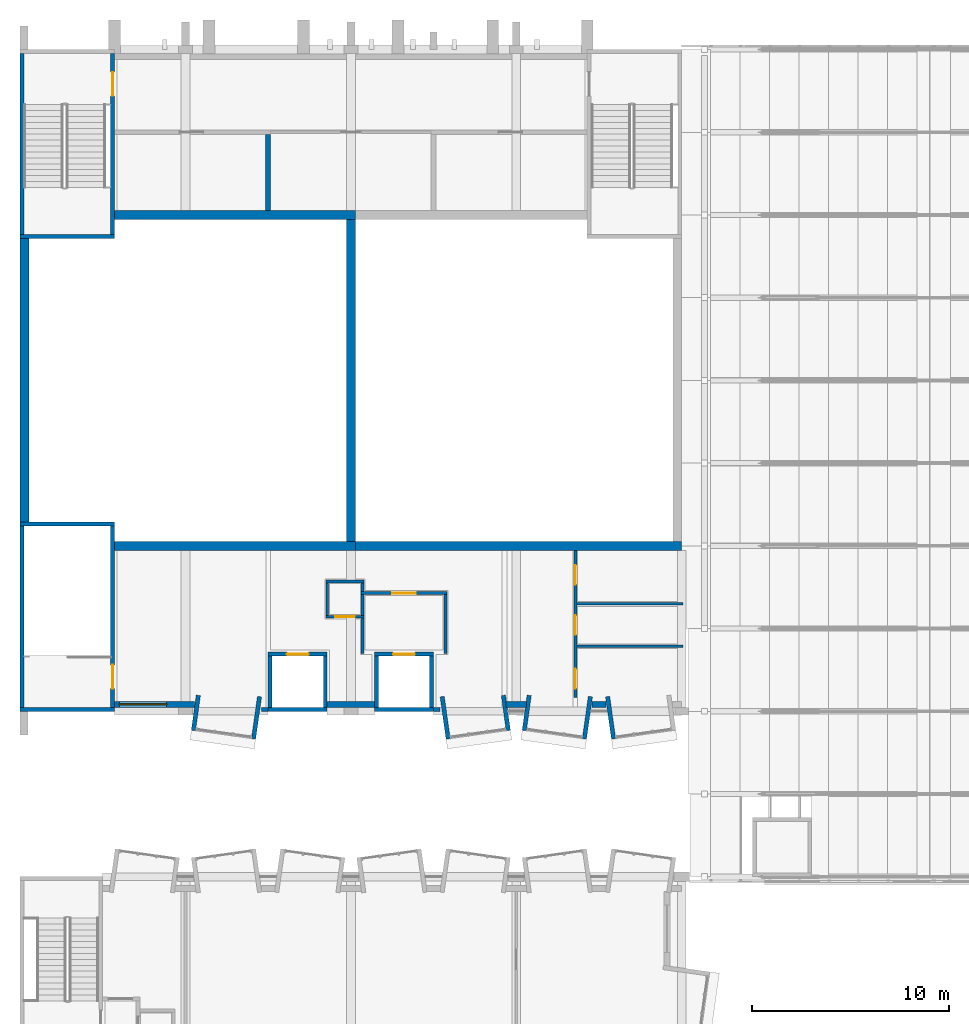
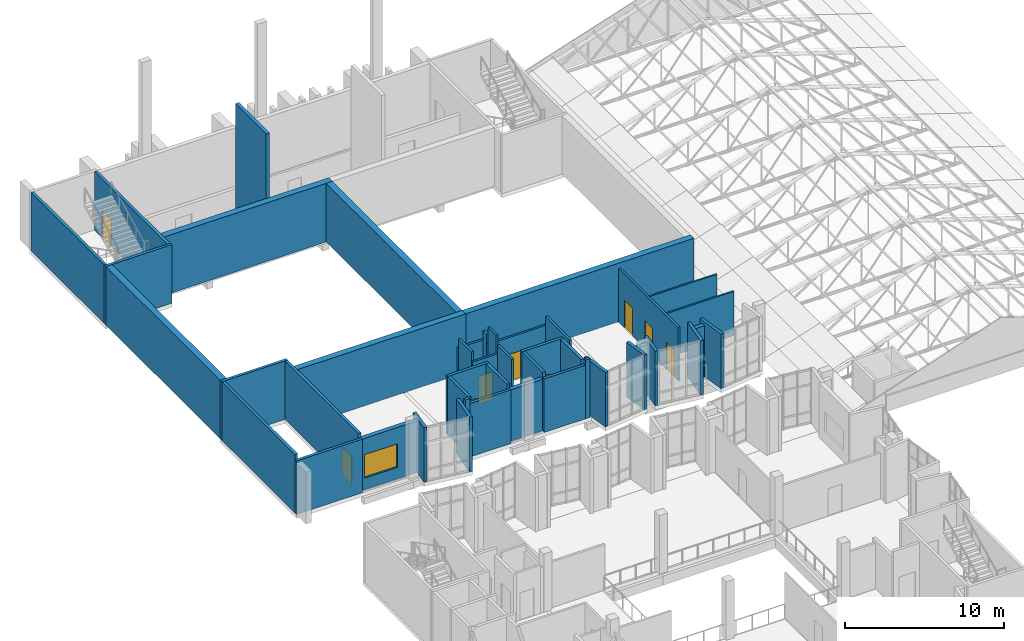
# One storey, part 83 of 95: 45 walls, 9 doors, 1 window, 10 openings.
"""IFC4 building model written with IfcOpenShell, lengths in metres."""

from ifc_helpers import new_model, si_unit, direction, frame, frame_2d, origin, place, context, subcontext, project, spatial, rectangle, extrude, material, layer, layer_set, type_object, element, fill, save


model = new_model("IFC4")

# Units and contexts
model_context = context("Model", 3, precision=1e-05, world=origin(), true_north=direction((0.0, 1.0)))
body_context = subcontext(model_context, "Body", "Model", "MODEL_VIEW")
ifc_project = project(units=[si_unit("LENGTHUNIT", "METRE"), si_unit("AREAUNIT", "SQUARE_METRE"), si_unit("VOLUMEUNIT", "CUBIC_METRE"), si_unit("PLANEANGLEUNIT", "RADIAN"), si_unit("MASSUNIT", "GRAM", prefix="KILO")], contexts=[model_context])

# Site, building, storey
site_placement = place(None, origin())
site = spatial("IfcSite", under=ifc_project, at=site_placement, CompositionType="ELEMENT")
building_placement = place(site_placement, origin())
building = spatial("IfcBuilding", under=site, at=building_placement, Name="Kiln Court Media Centre", CompositionType="ELEMENT")
storey_placement = place(building_placement, frame((0.0, 0.0, 24.60009765625)))
storey = spatial("IfcBuildingStorey", under=building, at=storey_placement, Name="L05", CompositionType="ELEMENT", Elevation=24.60009765625)

# Wall, opening, door
ifc_material_1 = material(Name="Concrete block masonry M7.5", Category="masonry")
ifc_layer_1 = layer(ifc_material_1, 0.14990234375)
ifc_layer_set_1 = layer_set([ifc_layer_1], Name="Block lobby wall 150 EI 120")
wall_type_1 = type_object("IfcWallType", Name="Block lobby wall 150 EI 120", PredefinedType="SOLIDWALL", material=ifc_layer_set_1)
wall_1_placement = place(storey_placement, frame((17.324951171875, 39.60009765625, 0.0), z_axis=(0.0, 0.0, 1.0), x_axis=(1.0, 0.0, 0.0)))
wall_1 = element("IfcWall", 1, at=wall_1_placement, inside=storey, type_object=wall_type_1, Name="L05 block lobby wall", PredefinedType="SOLIDWALL", context=body_context, shape_type="SweptSolid", body=[
    extrude(rectangle(XDim=4.35009765625, YDim=0.14990234375, at=frame_2d((2.175048828125, 0.0))), origin(), (0.0, 0.0, 1.0), 3.39990234375),
])
opening_1_placement = place(wall_1_placement, frame((1.574951171875, 0.0, 0.0)))
opening_1 = element("IfcOpeningElement", 2, at=opening_1_placement, cuts=wall_1, Name="Opening D5016", PredefinedType="OPENING", context=body_context, shape_type="SweptSolid", body=[
    extrude(rectangle(XDim=1.199951171875, YDim=2.10009765625, at=frame_2d((0.60009765625, 1.050048828125))), frame((0.0, 0.0849609375, 0.0), z_axis=(0.0, -1.0, 0.0), x_axis=(1.0, 0.0, 0.0)), (0.0, 0.0, 1.0), 0.169921875),
])
ifc_material_2 = material(Name="Steel S275", Category="steel")
door_type_1 = type_object("IfcDoorType", Name="Steel lobby door 1200 x 2100 FD120", OperationType="SINGLE_SWING_LEFT", PredefinedType="DOOR", material=ifc_material_2)
door_1_placement = place(opening_1_placement, origin())
door_1 = element("IfcDoor", 3, at=door_1_placement, inside=storey, type_object=door_type_1, Name="Mezzanine Lobby / Fire-fighting Lift Lobby", OperationType="SINGLE_SWING_RIGHT", OverallHeight=2.10009765625, OverallWidth=1.199951171875, PredefinedType="DOOR", context=body_context, shape_type="SweptSolid", body=[
    extrude(rectangle(XDim=1.199951171875, YDim=2.10009765625, at=frame_2d((0.60009765625, 1.050048828125))), frame((0.0, 0.02490234375, 0.0), z_axis=(0.0, -1.0, 0.0), x_axis=(1.0, 0.0, 0.0)), (0.0, 0.0, 1.0), 0.050048828125),
])
fill(opening_1, door_1)

# Walls
wall_2_placement = place(storey_placement, frame((17.39990234375, 36.52490234375, 0.0), z_axis=(0.0, 0.0, 1.0), x_axis=(0.0, 1.0, 0.0)))
element("IfcWall", 4, at=wall_2_placement, inside=storey, type_object=wall_type_1, Name="L05 block lobby wall", PredefinedType="SOLIDWALL", context=body_context, shape_type="SweptSolid", body=[
    extrude(rectangle(XDim=1.800048828125, YDim=0.14990234375, at=frame_2d((0.89990234375, 0.0))), origin(), (0.0, 0.0, 1.0), 4.099853515625),
])
wall_3_placement = place(storey_placement, frame((17.39990234375, 38.47509765625, 0.0), z_axis=(0.0, 0.0, 1.0), x_axis=(0.0, 1.0, 0.0)))
element("IfcWall", 5, at=wall_3_placement, inside=storey, type_object=wall_type_1, Name="L05 block lobby wall", PredefinedType="SOLIDWALL", context=body_context, shape_type="SweptSolid", body=[
    extrude(rectangle(XDim=1.0498046875, YDim=0.14990234375, at=frame_2d((0.52490234375, 0.0))), origin(), (0.0, 0.0, 1.0), 4.737548828125),
])
wall_4_placement = place(storey_placement, frame((21.60009765625, 36.52490234375, 0.0), z_axis=(0.0, 0.0, 1.0), x_axis=(0.0, 1.0, 0.0)))
element("IfcWall", 6, at=wall_4_placement, inside=storey, type_object=wall_type_1, Name="L05 block lobby wall", PredefinedType="SOLIDWALL", context=body_context, shape_type="SweptSolid", body=[
    extrude(rectangle(XDim=3.0, YDim=0.14990234375, at=frame_2d((1.5, 0.0))), origin(), (0.0, 0.0, 1.0), 4.099853515625),
])
ifc_material_3 = material(Name="Brick masonry facing leaf with RC backing", Category="masonry")
ifc_layer_2 = layer(ifc_material_3, 0.215087890625)
ifc_layer_set_2 = layer_set([ifc_layer_2], Name="Brick masonry bay cheek wall 215")
wall_type_2 = type_object("IfcWallType", Name="Brick masonry bay cheek wall 215", PredefinedType="SOLIDWALL", material=ifc_layer_set_2)
wall_5_placement = place(storey_placement, frame((9.055908203125, 34.40869140625, 0.0), z_axis=(0.0, 0.0, 1.0), x_axis=(-0.13918000587, -0.990267098295, 0.0)))
element("IfcWall", 7, at=wall_5_placement, inside=storey, type_object=wall_type_2, Name="BAY V4-S-L05-31 cheek L", PredefinedType="SOLIDWALL", context=body_context, shape_type="SweptSolid", body=[
    extrude(rectangle(XDim=1.7998046875, YDim=0.215087890625, at=frame_2d((0.89990234375, 0.0))), origin(), (0.0, 0.0, 1.0), 4.199951171875),
])
wall_6_placement = place(storey_placement, frame((12.162353515625, 34.344970703125, 0.0), z_axis=(0.0, 0.0, 1.0), x_axis=(-0.139120311566, -0.990275486372, 0.0)))
element("IfcWall", 8, at=wall_6_placement, inside=storey, type_object=wall_type_2, Name="BAY V4-S-L05-31 cheek R", PredefinedType="SOLIDWALL", context=body_context, shape_type="SweptSolid", body=[
    extrude(rectangle(XDim=2.1689453125, YDim=0.215087890625, at=frame_2d((1.08447265625, 0.0))), origin(), (0.0, 0.0, 1.0), 4.199951171875),
])
wall_7_placement = place(storey_placement, frame((21.4375, 34.344970703125, 0.0), z_axis=(0.0, 0.0, 1.0), x_axis=(0.139230687381, -0.99025997379, 0.0)))
element("IfcWall", 9, at=wall_7_placement, inside=storey, type_object=wall_type_2, Name="BAY V4-S-L05-34 cheek L", PredefinedType="SOLIDWALL", context=body_context, shape_type="SweptSolid", body=[
    extrude(rectangle(XDim=2.169189453125, YDim=0.215087890625, at=frame_2d((1.08447265625, 0.0))), origin(), (0.0, 0.0, 1.0), 4.199951171875),
])
for number, where, z_axis, x_axis, name in (
    (10, (24.5439453125, 34.40869140625, 0.0), (0.0, 0.0, 1.0), (0.13918000587, -0.990267098295, 0.0), "BAY V4-S-L05-34 cheek R"),
    (11, (25.85595703125, 34.40869140625, 0.0), (0.0, 0.0, 1.0), (-0.13918000587, -0.990267098295, 0.0), "BAY V4-S-L05-35 cheek L"),
):
    element("IfcWall", number, at=place(storey_placement, frame(where, z_axis=z_axis, x_axis=x_axis)), inside=storey, type_object=wall_type_2, Name=name, PredefinedType="SOLIDWALL", context=body_context, shape_type="SweptSolid", body=[
        extrude(rectangle(XDim=1.7998046875, YDim=0.215087890625, at=frame_2d((0.89990234375, 0.0))), origin(), (0.0, 0.0, 1.0), 4.199951171875),
    ])
wall_8_placement = place(storey_placement, frame((28.96240234375, 34.344970703125, 0.0), z_axis=(0.0, 0.0, 1.0), x_axis=(-0.139230687381, -0.99025997379, 0.0)))
element("IfcWall", 12, at=wall_8_placement, inside=storey, type_object=wall_type_2, Name="BAY V4-S-L05-35 cheek R", PredefinedType="SOLIDWALL", context=body_context, shape_type="SweptSolid", body=[
    extrude(rectangle(XDim=2.169189453125, YDim=0.215087890625, at=frame_2d((1.08447265625, 0.0))), origin(), (0.0, 0.0, 1.0), 4.199951171875),
])
wall_9_placement = place(storey_placement, frame((29.837646484375, 34.344970703125, 0.0), z_axis=(0.0, 0.0, 1.0), x_axis=(0.139120311566, -0.990275486372, 0.0)))
element("IfcWall", 13, at=wall_9_placement, inside=storey, type_object=wall_type_2, Name="BAY V4-S-L05-36 cheek L", PredefinedType="SOLIDWALL", context=body_context, shape_type="SweptSolid", body=[
    extrude(rectangle(XDim=2.1689453125, YDim=0.215087890625, at=frame_2d((1.08447265625, 0.0))), origin(), (0.0, 0.0, 1.0), 4.199951171875),
])
ifc_material_4 = material(Name="Concrete C40/50", Category="concrete")
ifc_layer_3 = layer(ifc_material_4, 0.449951171875)
ifc_layer_set_3 = layer_set([ifc_layer_3], Name="Concrete C40/50 auditorium wall 450")
wall_type_3 = type_object("IfcWallType", Name="Concrete C40/50 auditorium wall 450", PredefinedType="SHEAR", material=ifc_layer_set_3)
for number, where, z_axis, x_axis, name in (
    (14, (17.02490234375, 42.0, 0.0), (0.0, 0.0, 1.0), (-1.0, 0.0, 0.0), "L05-W-1050"),
    (15, (4.800048828125, 58.800048828125, 0.0), (0.0, 0.0, 1.0), (1.0, 0.0, 0.0), "L05-W-1051"),
):
    element("IfcWall", number, at=place(storey_placement, frame(where, z_axis=z_axis, x_axis=x_axis)), inside=storey, type_object=wall_type_3, Name=name, PredefinedType="SHEAR", context=body_context, shape_type="SweptSolid", body=[
        extrude(rectangle(XDim=12.224853515625, YDim=0.449951171875, at=frame_2d((6.1123046875, 0.0))), origin(), (0.0, 0.0, 1.0), 4.5),
    ])
wall_10_placement = place(storey_placement, frame((0.225341796875, 43.199951171875, 0.0), z_axis=(0.0, 0.0, 1.0), x_axis=(0.0, 1.0, 0.0)))
element("IfcWall", 16, at=wall_10_placement, inside=storey, type_object=wall_type_3, Name="L05-W-1052", PredefinedType="SHEAR", context=body_context, shape_type="SweptSolid", body=[
    extrude(rectangle(XDim=14.400146484375, YDim=0.449951171875, at=frame_2d((7.2001953125, 0.0))), origin(), (0.0, 0.0, 1.0), 4.5),
])
wall_11_placement = place(storey_placement, frame((16.800048828125, 58.574951171875, 0.0), z_axis=(0.0, 0.0, 1.0), x_axis=(0.0, -1.0, 0.0)))
element("IfcWall", 17, at=wall_11_placement, inside=storey, type_object=wall_type_3, Name="L05-W-1053", PredefinedType="SHEAR", context=body_context, shape_type="SweptSolid", body=[
    extrude(rectangle(XDim=16.349853515625, YDim=0.449951171875, at=frame_2d((8.1748046875, 0.0))), origin(), (0.0, 0.0, 1.0), 4.5),
])
wall_12_placement = place(storey_placement, frame((33.60009765625, 42.0, 0.0), z_axis=(0.0, 0.0, 1.0), x_axis=(-1.0, 0.0, 0.0)))
element("IfcWall", 18, at=wall_12_placement, inside=storey, type_object=wall_type_3, Name="L05-W-1054", PredefinedType="SHEAR", context=body_context, shape_type="SweptSolid", body=[
    extrude(rectangle(XDim=16.5751953125, YDim=0.449951171875, at=frame_2d((8.28759765625, 0.0))), origin(), (0.0, 0.0, 1.0), 4.5),
])

# Wall, opening, window
ifc_material_5 = material(Name="Concrete C40/50", Category="concrete")
ifc_layer_4 = layer(ifc_material_5, 0.300048828125)
ifc_layer_set_4 = layer_set([ifc_layer_4], Name="Concrete C40/50 board-marked facade wall 300")
wall_type_4 = type_object("IfcWallType", Name="Concrete C40/50 board-marked facade wall 300", PredefinedType="SOLIDWALL", material=ifc_layer_set_4)
wall_13_placement = place(storey_placement, frame((8.8623046875, 33.949951171875, 0.0), z_axis=(0.0, 0.0, 1.0), x_axis=(-1.0, 0.0, 0.0)))
wall_13 = element("IfcWall", 19, at=wall_13_placement, inside=storey, type_object=wall_type_4, Name="V4 S facade wall 4007", PredefinedType="SOLIDWALL", context=body_context, shape_type="SweptSolid", body=[
    extrude(rectangle(XDim=4.062255859375, YDim=0.300048828125, at=frame_2d((2.03125, 0.0))), origin(), (0.0, 0.0, 1.0), 3.961669921875),
])
opening_2_placement = place(wall_13_placement, frame((1.4111328125, 0.0, 0.89990234375)))
opening_2 = element("IfcOpeningElement", 20, at=opening_2_placement, cuts=wall_13, Name="Opening WN5500", PredefinedType="OPENING", context=body_context, shape_type="SweptSolid", body=[
    extrude(rectangle(XDim=2.39990234375, YDim=1.800048828125, at=frame_2d((1.199951171875, 0.89990234375))), frame((0.0, 0.159912109375, 0.0), z_axis=(0.0, -1.0, 0.0), x_axis=(1.0, 0.0, 0.0)), (0.0, 0.0, 1.0), 0.320068359375),
])
ifc_material_6 = material(Name="Aluminium 6063-T6", Category="aluminium")
window_type = type_object("IfcWindowType", Name="Aluminium lobby window 2400x1800", PartitioningType="TRIPLE_PANEL_VERTICAL", PredefinedType="WINDOW", material=ifc_material_6)
window_placement = place(opening_2_placement, origin())
window = element("IfcWindow", 21, at=window_placement, inside=storey, type_object=window_type, Name="V4 S lounge window", OverallHeight=1.800048828125, OverallWidth=2.39990234375, PartitioningType="SINGLE_PANEL", PredefinedType="WINDOW", context=body_context, shape_type="SweptSolid", body=[
    extrude(rectangle(XDim=2.39990234375, YDim=1.800048828125, at=frame_2d((1.199951171875, 0.89990234375))), frame((0.0, 0.030029296875, 0.0), z_axis=(0.0, -1.0, 0.0), x_axis=(1.0, 0.0, 0.0)), (0.0, 0.0, 1.0), 0.06005859375),
])
fill(opening_2, window)

# Walls
wall_14_placement = place(storey_placement, frame((18.0, 33.949951171875, 0.0), z_axis=(0.0, 0.0, 1.0), x_axis=(-1.0, 0.0, 0.0)))
element("IfcWall", 22, at=wall_14_placement, inside=storey, type_object=wall_type_4, Name="V4 S facade wall 4008", PredefinedType="SOLIDWALL", context=body_context, shape_type="SweptSolid", body=[
    extrude(rectangle(XDim=2.39990234375, YDim=0.300048828125, at=frame_2d((1.199951171875, 0.0))), origin(), (0.0, 0.0, 1.0), 3.961669921875),
])
wall_15_placement = place(storey_placement, frame((25.711181640625, 33.949951171875, 0.0), z_axis=(0.0, 0.0, 1.0), x_axis=(-1.0, 0.0, 0.0)))
element("IfcWall", 23, at=wall_15_placement, inside=storey, type_object=wall_type_4, Name="V4 S facade wall 4009", PredefinedType="SOLIDWALL", context=body_context, shape_type="SweptSolid", body=[
    extrude(rectangle(XDim=1.022216796875, YDim=0.300048828125, at=frame_2d((0.51123046875, 0.0))), origin(), (0.0, 0.0, 1.0), 3.961669921875),
])
wall_16_placement = place(storey_placement, frame((29.763916015625, 33.949951171875, 0.0), z_axis=(0.0, 0.0, 1.0), x_axis=(-1.0, 0.0, 0.0)))
element("IfcWall", 24, at=wall_16_placement, inside=storey, type_object=wall_type_4, Name="V4 S facade wall 4010", PredefinedType="SOLIDWALL", context=body_context, shape_type="SweptSolid", body=[
    extrude(rectangle(XDim=0.727783203125, YDim=0.300048828125, at=frame_2d((0.36376953125, 0.0))), origin(), (0.0, 0.0, 1.0), 3.961669921875),
])
ifc_material_7 = material(Name="Concrete C40/50", Category="concrete")
ifc_layer_5 = layer(ifc_material_7, 0.199951171875)
ifc_layer_set_5 = layer_set([ifc_layer_5], Name="Concrete C40/50 shear wall 200")
wall_type_5 = type_object("IfcWallType", Name="Concrete C40/50 shear wall 200", PredefinedType="SHEAR", material=ifc_layer_set_5)
wall_17_placement = place(storey_placement, frame((4.800048828125, 33.699951171875, 0.0), z_axis=(0.0, 0.0, 1.0), x_axis=(-1.0, 0.0, 0.0)))
element("IfcWall", 25, at=wall_17_placement, inside=storey, type_object=wall_type_5, Name="L05-W-1012", PredefinedType="SHEAR", context=body_context, shape_type="SweptSolid", body=[
    extrude(rectangle(XDim=4.799560546875, YDim=0.199951171875, at=frame_2d((2.39990234375, 0.0))), origin(), (0.0, 0.0, 1.0), 4.1123046875),
])
wall_18_placement = place(storey_placement, frame((0.00048828125, 43.10009765625, 0.0), z_axis=(0.0, 0.0, 1.0), x_axis=(1.0, 0.0, 0.0)))
element("IfcWall", 26, at=wall_18_placement, inside=storey, type_object=wall_type_5, Name="L05-W-1013", PredefinedType="SHEAR", context=body_context, shape_type="SweptSolid", body=[
    extrude(rectangle(XDim=4.799560546875, YDim=0.199951171875, at=frame_2d((2.39990234375, 0.0))), origin(), (0.0, 0.0, 1.0), 4.5),
])
wall_19_placement = place(storey_placement, frame((0.100341796875, 33.800048828125, 0.0), z_axis=(0.0, 0.0, 1.0), x_axis=(0.0, 1.0, 0.0)))
element("IfcWall", 27, at=wall_19_placement, inside=storey, type_object=wall_type_5, Name="L05-W-1014", PredefinedType="SHEAR", context=body_context, shape_type="SweptSolid", body=[
    extrude(rectangle(XDim=9.199951171875, YDim=0.199951171875, at=frame_2d((4.60009765625, 0.0))), origin(), (0.0, 0.0, 1.0), 4.5),
])

# Wall, opening, door
wall_20_placement = place(storey_placement, frame((4.699951171875, 43.0, 0.0), z_axis=(0.0, 0.0, 1.0), x_axis=(0.0, -1.0, 0.0)))
wall_20 = element("IfcWall", 28, at=wall_20_placement, inside=storey, type_object=wall_type_5, Name="L05-W-1015", PredefinedType="SHEAR", context=body_context, shape_type="SweptSolid", body=[
    extrude(rectangle(XDim=9.199951171875, YDim=0.199951171875, at=frame_2d((4.60009765625, 0.0))), origin(), (0.0, 0.0, 1.0), 4.5),
])
opening_3_placement = place(wall_20_placement, frame((7.050048828125, 0.0, 0.0)))
opening_3 = element("IfcOpeningElement", 29, at=opening_3_placement, cuts=wall_20, Name="Opening D5001", PredefinedType="OPENING", context=body_context, shape_type="SweptSolid", body=[
    extrude(rectangle(XDim=1.199951171875, YDim=2.10009765625, at=frame_2d((0.60009765625, 1.050048828125))), frame((0.0, 0.10986328125, 0.0), z_axis=(0.0, -1.0, 0.0), x_axis=(1.0, 0.0, 0.0)), (0.0, 0.0, 1.0), 0.219970703125),
])
ifc_material_8 = material(Name="Steel S275", Category="steel")
door_type_2 = type_object("IfcDoorType", Name="Steel stair door 1200 x 2100 FD180", OperationType="SINGLE_SWING_LEFT", PredefinedType="DOOR", material=ifc_material_8)
door_2_placement = place(opening_3_placement, origin())
door_2 = element("IfcDoor", 30, at=door_2_placement, inside=storey, type_object=door_type_2, Name="Stair 6 / Cinema Lounge", OperationType="SINGLE_SWING_LEFT", OverallHeight=2.10009765625, OverallWidth=1.199951171875, PredefinedType="DOOR", context=body_context, shape_type="SweptSolid", body=[
    extrude(rectangle(XDim=1.199951171875, YDim=2.10009765625, at=frame_2d((0.60009765625, 1.050048828125))), frame((0.0, 0.02490234375, 0.0), z_axis=(0.0, -1.0, 0.0), x_axis=(1.0, 0.0, 0.0)), (0.0, 0.0, 1.0), 0.050048828125),
])
fill(opening_3, door_2)

# Walls
wall_21_placement = place(storey_placement, frame((4.800048828125, 57.699951171875, 0.0), z_axis=(0.0, 0.0, 1.0), x_axis=(-1.0, 0.0, 0.0)))
element("IfcWall", 31, at=wall_21_placement, inside=storey, type_object=wall_type_5, Name="L05-W-1016", PredefinedType="SHEAR", context=body_context, shape_type="SweptSolid", body=[
    extrude(rectangle(XDim=4.799560546875, YDim=0.199951171875, at=frame_2d((2.39990234375, 0.0))), origin(), (0.0, 0.0, 1.0), 4.5),
])
wall_22_placement = place(storey_placement, frame((0.100341796875, 57.800048828125, 0.0), z_axis=(0.0, 0.0, 1.0), x_axis=(0.0, 1.0, 0.0)))
element("IfcWall", 32, at=wall_22_placement, inside=storey, type_object=wall_type_5, Name="L05-W-1018", PredefinedType="SHEAR", context=body_context, shape_type="SweptSolid", body=[
    extrude(rectangle(XDim=9.199951171875, YDim=0.199951171875, at=frame_2d((4.60009765625, 0.0))), origin(), (0.0, 0.0, 1.0), 4.5),
])

# Wall, opening, door
wall_23_placement = place(storey_placement, frame((4.699951171875, 67.0, 0.0), z_axis=(0.0, 0.0, 1.0), x_axis=(0.0, -1.0, 0.0)))
wall_23 = element("IfcWall", 33, at=wall_23_placement, inside=storey, type_object=wall_type_5, Name="L05-W-1019", PredefinedType="SHEAR", context=body_context, shape_type="SweptSolid", body=[
    extrude(rectangle(XDim=9.199951171875, YDim=0.199951171875, at=frame_2d((4.60009765625, 0.0))), origin(), (0.0, 0.0, 1.0), 4.5),
])
opening_4_placement = place(wall_23_placement, frame((0.949951171875, 0.0, 0.0)))
opening_4 = element("IfcOpeningElement", 34, at=opening_4_placement, cuts=wall_23, Name="Opening D5002", PredefinedType="OPENING", context=body_context, shape_type="SweptSolid", body=[
    extrude(rectangle(XDim=1.199951171875, YDim=2.10009765625, at=frame_2d((0.60009765625, 1.050048828125))), frame((0.0, 0.10986328125, 0.0), z_axis=(0.0, -1.0, 0.0), x_axis=(1.0, 0.0, 0.0)), (0.0, 0.0, 1.0), 0.219970703125),
])
door_3_placement = place(opening_4_placement, origin())
door_3 = element("IfcDoor", 35, at=door_3_placement, inside=storey, type_object=door_type_2, Name="Stair 7 / Rear Exit Corridor", OperationType="SINGLE_SWING_RIGHT", OverallHeight=2.10009765625, OverallWidth=1.199951171875, PredefinedType="DOOR", context=body_context, shape_type="SweptSolid", body=[
    extrude(rectangle(XDim=1.199951171875, YDim=2.10009765625, at=frame_2d((0.60009765625, 1.050048828125))), frame((0.0, 0.02490234375, 0.0), z_axis=(0.0, -1.0, 0.0), x_axis=(1.0, 0.0, 0.0)), (0.0, 0.0, 1.0), 0.050048828125),
])
fill(opening_4, door_3)

# Wall
wall_24_placement = place(storey_placement, frame((15.60009765625, 33.699951171875, 0.0), z_axis=(0.0, 0.0, 1.0), x_axis=(-1.0, 0.0, 0.0)))
element("IfcWall", 36, at=wall_24_placement, inside=storey, type_object=wall_type_5, Name="L05-W-1038", PredefinedType="SHEAR", context=body_context, shape_type="SweptSolid", body=[
    extrude(rectangle(XDim=3.0, YDim=0.199951171875, at=frame_2d((1.5, 0.0))), origin(), (0.0, 0.0, 1.0), 4.1123046875),
])

# Wall, opening, door
wall_25_placement = place(storey_placement, frame((12.60009765625, 36.5, 0.0), z_axis=(0.0, 0.0, 1.0), x_axis=(1.0, 0.0, 0.0)))
wall_25 = element("IfcWall", 37, at=wall_25_placement, inside=storey, type_object=wall_type_5, Name="L05-W-1039", PredefinedType="SHEAR", context=body_context, shape_type="SweptSolid", body=[
    extrude(rectangle(XDim=3.0, YDim=0.199951171875, at=frame_2d((1.5, 0.0))), origin(), (0.0, 0.0, 1.0), 4.5),
])
opening_5_placement = place(wall_25_placement, frame((0.949951171875, 0.0, 0.0)))
opening_5 = element("IfcOpeningElement", 38, at=opening_5_placement, cuts=wall_25, Name="Opening LD504", PredefinedType="OPENING", context=body_context, shape_type="SweptSolid", body=[
    extrude(rectangle(XDim=1.10009765625, YDim=2.10009765625, at=frame_2d((0.550048828125, 1.050048828125))), frame((0.0, 0.10986328125, 0.0), z_axis=(0.0, -1.0, 0.0), x_axis=(1.0, 0.0, 0.0)), (0.0, 0.0, 1.0), 0.219970703125),
])
ifc_material_9 = material(Name="Stainless steel", Category="steel")
door_type_3 = type_object("IfcDoorType", Name="Lift landing door 1100 x 2100 FD120", OperationType="SLIDING_TO_LEFT", PredefinedType="DOOR", material=ifc_material_9)
door_4_placement = place(opening_5_placement, origin())
door_4 = element("IfcDoor", 39, at=door_4_placement, inside=storey, type_object=door_type_3, Name="LF-05 landing door L05", OperationType="SLIDING_TO_LEFT", OverallHeight=2.10009765625, OverallWidth=1.10009765625, PredefinedType="DOOR", context=body_context, shape_type="SweptSolid", body=[
    extrude(rectangle(XDim=1.10009765625, YDim=2.10009765625, at=frame_2d((0.550048828125, 1.050048828125))), frame((0.0, 0.02490234375, 0.0), z_axis=(0.0, -1.0, 0.0), x_axis=(1.0, 0.0, 0.0)), (0.0, 0.0, 1.0), 0.050048828125),
])
fill(opening_5, door_4)

# Walls
for number, where, z_axis, x_axis, name in (
    (40, (12.699951171875, 33.800048828125, 0.0), (0.0, 0.0, 1.0), (0.0, 1.0, 0.0), "L05-W-1040"),
    (41, (15.5, 36.39990234375, 0.0), (0.0, 0.0, 1.0), (0.0, -1.0, 0.0), "L05-W-1041"),
):
    element("IfcWall", number, at=place(storey_placement, frame(where, z_axis=z_axis, x_axis=x_axis)), inside=storey, type_object=wall_type_5, Name=name, PredefinedType="SHEAR", context=body_context, shape_type="SweptSolid", body=[
        extrude(rectangle(XDim=2.599853515625, YDim=0.199951171875, at=frame_2d((1.2998046875, 0.0))), origin(), (0.0, 0.0, 1.0), 4.5),
    ])
wall_26_placement = place(storey_placement, frame((21.0, 33.699951171875, 0.0), z_axis=(0.0, 0.0, 1.0), x_axis=(-1.0, 0.0, 0.0)))
element("IfcWall", 42, at=wall_26_placement, inside=storey, type_object=wall_type_5, Name="L05-W-1042", PredefinedType="SHEAR", context=body_context, shape_type="SweptSolid", body=[
    extrude(rectangle(XDim=3.0, YDim=0.199951171875, at=frame_2d((1.5, 0.0))), origin(), (0.0, 0.0, 1.0), 4.1123046875),
])

# Wall, opening, door
wall_27_placement = place(storey_placement, frame((18.0, 36.5, 0.0), z_axis=(0.0, 0.0, 1.0), x_axis=(1.0, 0.0, 0.0)))
wall_27 = element("IfcWall", 43, at=wall_27_placement, inside=storey, type_object=wall_type_5, Name="L05-W-1043", PredefinedType="SHEAR", context=body_context, shape_type="SweptSolid", body=[
    extrude(rectangle(XDim=3.0, YDim=0.199951171875, at=frame_2d((1.5, 0.0))), origin(), (0.0, 0.0, 1.0), 4.5),
])
opening_6_placement = place(wall_27_placement, frame((0.949951171875, 0.0, 0.0)))
opening_6 = element("IfcOpeningElement", 44, at=opening_6_placement, cuts=wall_27, Name="Opening LD505", PredefinedType="OPENING", context=body_context, shape_type="SweptSolid", body=[
    extrude(rectangle(XDim=1.10009765625, YDim=2.10009765625, at=frame_2d((0.550048828125, 1.050048828125))), frame((0.0, 0.10986328125, 0.0), z_axis=(0.0, -1.0, 0.0), x_axis=(1.0, 0.0, 0.0)), (0.0, 0.0, 1.0), 0.219970703125),
])
ifc_material_10 = material(Name="Stainless steel", Category="steel")
door_type_4 = type_object("IfcDoorType", Name="Firefighting lift landing door 1100 x 2100 FD120", OperationType="SLIDING_TO_LEFT", PredefinedType="DOOR", material=ifc_material_10)
door_5_placement = place(opening_6_placement, origin())
door_5 = element("IfcDoor", 45, at=door_5_placement, inside=storey, type_object=door_type_4, Name="LF-06 landing door L05", OperationType="SLIDING_TO_LEFT", OverallHeight=2.10009765625, OverallWidth=1.10009765625, PredefinedType="DOOR", context=body_context, shape_type="SweptSolid", body=[
    extrude(rectangle(XDim=1.10009765625, YDim=2.10009765625, at=frame_2d((0.550048828125, 1.050048828125))), frame((0.0, 0.02490234375, 0.0), z_axis=(0.0, -1.0, 0.0), x_axis=(1.0, 0.0, 0.0)), (0.0, 0.0, 1.0), 0.050048828125),
])
fill(opening_6, door_5)

# Walls
for number, where, z_axis, x_axis, name in (
    (46, (18.10009765625, 33.800048828125, 0.0), (0.0, 0.0, 1.0), (0.0, 1.0, 0.0), "L05-W-1044"),
    (47, (20.89990234375, 36.39990234375, 0.0), (0.0, 0.0, 1.0), (0.0, -1.0, 0.0), "L05-W-1045"),
):
    element("IfcWall", number, at=place(storey_placement, frame(where, z_axis=z_axis, x_axis=x_axis)), inside=storey, type_object=wall_type_5, Name=name, PredefinedType="SHEAR", context=body_context, shape_type="SweptSolid", body=[
        extrude(rectangle(XDim=2.599853515625, YDim=0.199951171875, at=frame_2d((1.2998046875, 0.0))), origin(), (0.0, 0.0, 1.0), 4.5),
    ])
wall_28_placement = place(storey_placement, frame((12.60009765625, 33.699951171875, 0.0), z_axis=(0.0, 0.0, 1.0), x_axis=(-1.0, 0.0, 0.0)))
element("IfcWall", 48, at=wall_28_placement, inside=storey, type_object=wall_type_5, Name="L05-W-1057", PredefinedType="SHEAR", context=body_context, shape_type="SweptSolid", body=[
    extrude(rectangle(XDim=0.333984375, YDim=0.199951171875, at=frame_2d((0.1669921875, 0.0))), origin(), (0.0, 0.0, 1.0), 4.5),
])
wall_29_placement = place(storey_placement, frame((21.333740234375, 33.699951171875, 0.0), z_axis=(0.0, 0.0, 1.0), x_axis=(-1.0, 0.0, 0.0)))
element("IfcWall", 49, at=wall_29_placement, inside=storey, type_object=wall_type_5, Name="L05-W-1058", PredefinedType="SHEAR", context=body_context, shape_type="SweptSolid", body=[
    extrude(rectangle(XDim=0.333740234375, YDim=0.199951171875, at=frame_2d((0.1669921875, 0.0))), origin(), (0.0, 0.0, 1.0), 4.5),
])
ifc_material_11 = material(Name="Gypsum plasterboard", Category="gypsum")
ifc_layer_6 = layer(ifc_material_11, 0.25)
ifc_layer_set_6 = layer_set([ifc_layer_6], Name="Double-leaf acoustic wall 250 EI 120")
wall_type_6 = type_object("IfcWallType", Name="Double-leaf acoustic wall 250 EI 120", PredefinedType="PARTITIONING", material=ifc_layer_set_6)
wall_30_placement = place(storey_placement, frame((12.60009765625, 59.02490234375, 0.0), z_axis=(0.0, 0.0, 1.0), x_axis=(0.0, 1.0, 0.0)))
element("IfcWall", 50, at=wall_30_placement, inside=storey, type_object=wall_type_6, Name="L05 double-leaf acoustic wall", PredefinedType="PARTITIONING", context=body_context, shape_type="SweptSolid", body=[
    extrude(rectangle(XDim=3.85009765625, YDim=0.25, at=frame_2d((1.925048828125, 0.0))), origin(), (0.0, 0.0, 1.0), 9.456298828125),
])

# Wall, opening, door
ifc_material_12 = material(Name="Gypsum plasterboard", Category="gypsum")
ifc_layer_7 = layer(ifc_material_12, 0.14990234375)
ifc_layer_set_7 = layer_set([ifc_layer_7], Name="Gypsum corridor partition 150 EI 60")
wall_type_7 = type_object("IfcWallType", Name="Gypsum corridor partition 150 EI 60", PredefinedType="PARTITIONING", material=ifc_layer_set_7)
wall_31_placement = place(storey_placement, frame((15.52490234375, 38.39990234375, 0.0), z_axis=(0.0, 0.0, 1.0), x_axis=(1.0, 0.0, 0.0)))
wall_31 = element("IfcWall", 51, at=wall_31_placement, inside=storey, type_object=wall_type_7, Name="L05 gypsum corridor partition", PredefinedType="PARTITIONING", context=body_context, shape_type="SweptSolid", body=[
    extrude(rectangle(XDim=1.9501953125, YDim=0.14990234375, at=frame_2d((0.97509765625, 0.0))), origin(), (0.0, 0.0, 1.0), 3.39990234375),
])
opening_7_placement = place(wall_31_placement, frame((0.47509765625, 0.0, 0.0)))
opening_7 = element("IfcOpeningElement", 52, at=opening_7_placement, cuts=wall_31, Name="Opening D5017", PredefinedType="OPENING", context=body_context, shape_type="SweptSolid", body=[
    extrude(rectangle(XDim=1.0, YDim=2.10009765625, at=frame_2d((0.5, 1.050048828125))), frame((0.0, 0.0849609375, 0.0), z_axis=(0.0, -1.0, 0.0), x_axis=(1.0, 0.0, 0.0)), (0.0, 0.0, 1.0), 0.169921875),
])
ifc_material_13 = material(Name="Steel S275", Category="steel")
door_type_5 = type_object("IfcDoorType", Name="Steel corridor door 1000 x 2100 FD30S", OperationType="SINGLE_SWING_LEFT", PredefinedType="DOOR", material=ifc_material_13)
door_6_placement = place(opening_7_placement, origin())
door_6 = element("IfcDoor", 53, at=door_6_placement, inside=storey, type_object=door_type_5, Name="Mezzanine Lobby / Wheelchair Refuge", OperationType="SINGLE_SWING_RIGHT", OverallHeight=2.10009765625, OverallWidth=1.0, PredefinedType="DOOR", context=body_context, shape_type="SweptSolid", body=[
    extrude(rectangle(XDim=1.0, YDim=2.10009765625, at=frame_2d((0.5, 1.050048828125))), frame((0.0, 0.02490234375, 0.0), z_axis=(0.0, -1.0, 0.0), x_axis=(1.0, 0.0, 0.0)), (0.0, 0.0, 1.0), 0.050048828125),
])
fill(opening_7, door_6)

# Walls
wall_32_placement = place(storey_placement, frame((15.52490234375, 40.199951171875, 0.0), z_axis=(0.0, 0.0, 1.0), x_axis=(1.0, 0.0, 0.0)))
element("IfcWall", 54, at=wall_32_placement, inside=storey, type_object=wall_type_7, Name="L05 gypsum corridor partition", PredefinedType="PARTITIONING", context=body_context, shape_type="SweptSolid", body=[
    extrude(rectangle(XDim=1.9501953125, YDim=0.14990234375, at=frame_2d((0.97509765625, 0.0))), origin(), (0.0, 0.0, 1.0), 3.39990234375),
])
wall_33_placement = place(storey_placement, frame((15.60009765625, 38.47509765625, 0.0), z_axis=(0.0, 0.0, 1.0), x_axis=(0.0, 1.0, 0.0)))
element("IfcWall", 55, at=wall_33_placement, inside=storey, type_object=wall_type_7, Name="L05 gypsum corridor partition", PredefinedType="PARTITIONING", context=body_context, shape_type="SweptSolid", body=[
    extrude(rectangle(XDim=1.64990234375, YDim=0.14990234375, at=frame_2d((0.824951171875, 0.0))), origin(), (0.0, 0.0, 1.0), 4.099853515625),
])
wall_34_placement = place(storey_placement, frame((17.39990234375, 39.675048828125, 0.0), z_axis=(0.0, 0.0, 1.0), x_axis=(0.0, 1.0, 0.0)))
element("IfcWall", 56, at=wall_34_placement, inside=storey, type_object=wall_type_7, Name="L05 gypsum corridor partition", PredefinedType="PARTITIONING", context=body_context, shape_type="SweptSolid", body=[
    extrude(rectangle(XDim=0.449951171875, YDim=0.14990234375, at=frame_2d((0.22509765625, 0.0))), origin(), (0.0, 0.0, 1.0), 4.099853515625),
])

# Wall, openings, doors
wall_35_placement = place(storey_placement, frame((28.199951171875, 34.300048828125, 0.0), z_axis=(0.0, 0.0, 1.0), x_axis=(0.0, 1.0, 0.0)))
wall_35 = element("IfcWall", 57, at=wall_35_placement, inside=storey, type_object=wall_type_7, Name="L05 gypsum corridor partition", PredefinedType="PARTITIONING", context=body_context, shape_type="SweptSolid", body=[
    extrude(rectangle(XDim=7.474853515625, YDim=0.14990234375, at=frame_2d((3.7373046875, 0.0))), origin(), (0.0, 0.0, 1.0), 4.099853515625),
])
opening_8_placement = place(wall_35_placement, frame((0.449951171875, 0.0, 0.0)))
opening_8 = element("IfcOpeningElement", 58, at=opening_8_placement, cuts=wall_35, Name="Opening D5022", PredefinedType="OPENING", context=body_context, shape_type="SweptSolid", body=[
    extrude(rectangle(XDim=1.0, YDim=2.10009765625, at=frame_2d((0.5, 1.050048828125))), frame((0.0, 0.0849609375, 0.0), z_axis=(0.0, -1.0, 0.0), x_axis=(1.0, 0.0, 0.0)), (0.0, 0.0, 1.0), 0.169921875),
])
opening_9_placement = place(wall_35_placement, frame((3.175048828125, 0.0, 0.0)))
opening_9 = element("IfcOpeningElement", 59, at=opening_9_placement, cuts=wall_35, Name="Opening D5023", PredefinedType="OPENING", context=body_context, shape_type="SweptSolid", body=[
    extrude(rectangle(XDim=1.0, YDim=2.10009765625, at=frame_2d((0.5, 1.050048828125))), frame((0.0, 0.0849609375, 0.0), z_axis=(0.0, -1.0, 0.0), x_axis=(1.0, 0.0, 0.0)), (0.0, 0.0, 1.0), 0.169921875),
])
opening_10_placement = place(wall_35_placement, frame((5.72509765625, 0.0, 0.0)))
opening_10 = element("IfcOpeningElement", 60, at=opening_10_placement, cuts=wall_35, Name="Opening D5024", PredefinedType="OPENING", context=body_context, shape_type="SweptSolid", body=[
    extrude(rectangle(XDim=1.0, YDim=2.10009765625, at=frame_2d((0.5, 1.050048828125))), frame((0.0, 0.0849609375, 0.0), z_axis=(0.0, -1.0, 0.0), x_axis=(1.0, 0.0, 0.0)), (0.0, 0.0, 1.0), 0.169921875),
])
ifc_material_14 = material(Name="Steel S275", Category="steel")
door_type_6 = type_object("IfcDoorType", Name="Steel accessible door 1000 x 2100 FD30S", OperationType="SINGLE_SWING_LEFT", PredefinedType="DOOR", material=ifc_material_14)
door_7_placement = place(opening_10_placement, origin())
door_7 = element("IfcDoor", 61, at=door_7_placement, inside=storey, type_object=door_type_6, Name="Toilet Lobby / Accessible WC", OperationType="SINGLE_SWING_RIGHT", OverallHeight=2.10009765625, OverallWidth=1.0, PredefinedType="DOOR", context=body_context, shape_type="SweptSolid", body=[
    extrude(rectangle(XDim=1.0, YDim=2.10009765625, at=frame_2d((0.5, 1.050048828125))), frame((0.0, 0.02490234375, 0.0), z_axis=(0.0, -1.0, 0.0), x_axis=(1.0, 0.0, 0.0)), (0.0, 0.0, 1.0), 0.050048828125),
])
fill(opening_10, door_7)
door_8_placement = place(opening_8_placement, origin())
door_8 = element("IfcDoor", 62, at=door_8_placement, inside=storey, type_object=door_type_5, Name="Toilet Lobby / Women's WC", OperationType="SINGLE_SWING_RIGHT", OverallHeight=2.10009765625, OverallWidth=1.0, PredefinedType="DOOR", context=body_context, shape_type="SweptSolid", body=[
    extrude(rectangle(XDim=1.0, YDim=2.10009765625, at=frame_2d((0.5, 1.050048828125))), frame((0.0, 0.02490234375, 0.0), z_axis=(0.0, -1.0, 0.0), x_axis=(1.0, 0.0, 0.0)), (0.0, 0.0, 1.0), 0.050048828125),
])
fill(opening_8, door_8)
door_9_placement = place(opening_9_placement, origin())
door_9 = element("IfcDoor", 63, at=door_9_placement, inside=storey, type_object=door_type_5, Name="Toilet Lobby / Men's WC", OperationType="SINGLE_SWING_LEFT", OverallHeight=2.10009765625, OverallWidth=1.0, PredefinedType="DOOR", context=body_context, shape_type="SweptSolid", body=[
    extrude(rectangle(XDim=1.0, YDim=2.10009765625, at=frame_2d((0.5, 1.050048828125))), frame((0.0, 0.02490234375, 0.0), z_axis=(0.0, -1.0, 0.0), x_axis=(1.0, 0.0, 0.0)), (0.0, 0.0, 1.0), 0.050048828125),
])
fill(opening_9, door_9)

# Walls
ifc_material_15 = material(Name="Gypsum plasterboard", Category="gypsum")
ifc_layer_8 = layer(ifc_material_15, 0.125)
ifc_layer_set_8 = layer_set([ifc_layer_8], Name="Gypsum wet-area partition 125")
wall_type_8 = type_object("IfcWallType", Name="Gypsum wet-area partition 125", PredefinedType="PARTITIONING", material=ifc_layer_set_8)
for number, where, z_axis, x_axis, name in (
    (64, (28.27490234375, 36.89990234375, 0.0), (0.0, 0.0, 1.0), (1.0, 0.0, 0.0), "L05 gypsum wet-area partition"),
    (65, (28.27490234375, 39.050048828125, 0.0), (0.0, 0.0, 1.0), (1.0, 0.0, 0.0), "L05 gypsum wet-area partition"),
):
    element("IfcWall", number, at=place(storey_placement, frame(where, z_axis=z_axis, x_axis=x_axis)), inside=storey, type_object=wall_type_8, Name=name, PredefinedType="PARTITIONING", context=body_context, shape_type="SweptSolid", body=[
        extrude(rectangle(XDim=5.3876953125, YDim=0.125, at=frame_2d((2.69384765625, 0.0))), origin(), (0.0, 0.0, 1.0), 3.39990234375),
    ])

save(model, "model.ifc")
